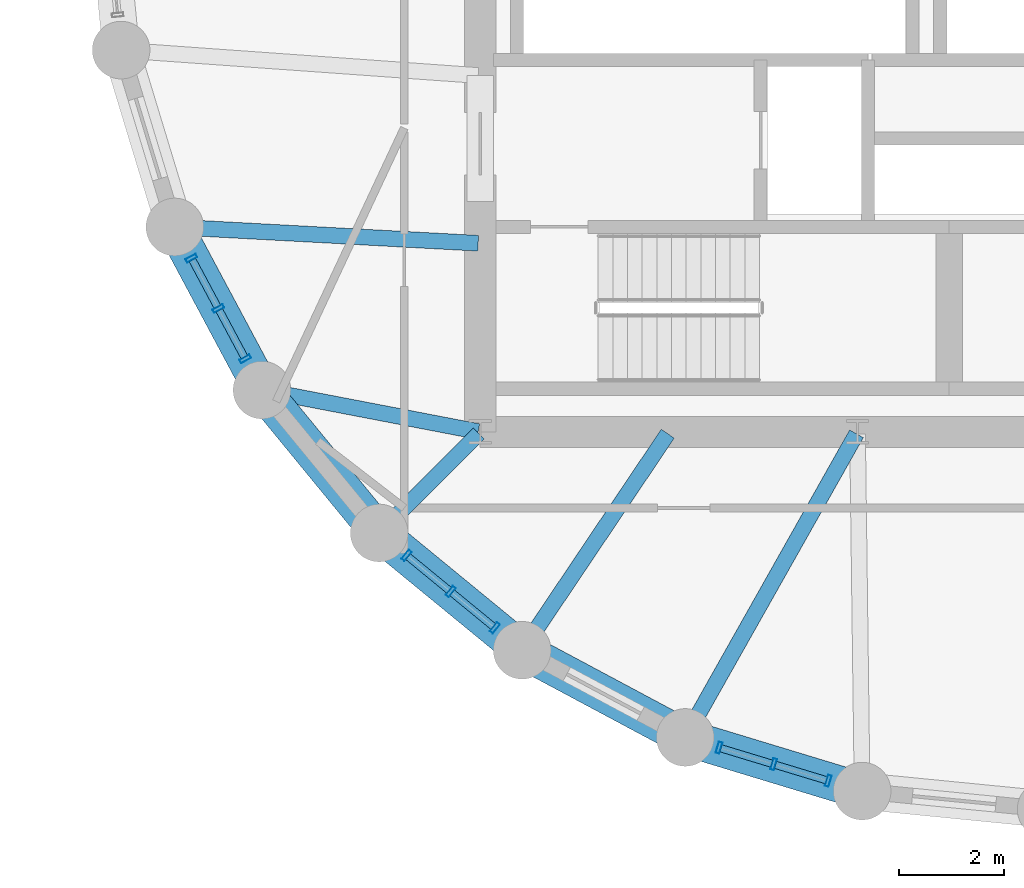
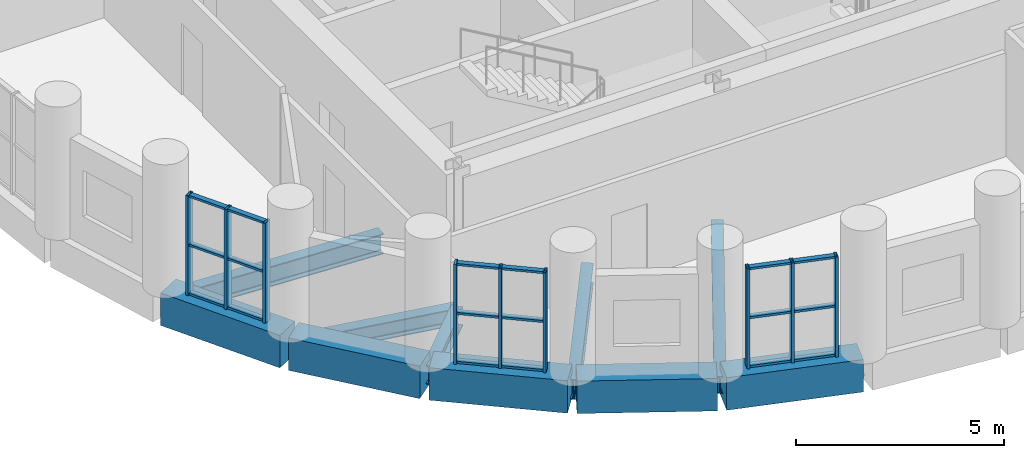
# One storey, part 2 of 13: 27 members, 10 beams, 3 elements without a shape of their own.
"""IFC4 building model written with IfcOpenShell, lengths in metres."""

from ifc_helpers import new_model, si_unit, direction, frame, origin, origin_2d, place, context, subcontext, project, spatial, rectangle, hollow_rectangle, i_section, extrude, material, layer, layer_set, material_profile, profile_set, type_object, element, aggregate, save


model = new_model("IFC4")

# Units and contexts
model_context = context("Model", 3, precision=1e-05, world=origin(), true_north=direction((0.0, 1.0)))
body_context = subcontext(model_context, "Body", "Model", "MODEL_VIEW")
ifc_project = project(units=[si_unit("LENGTHUNIT", "METRE"), si_unit("AREAUNIT", "SQUARE_METRE"), si_unit("VOLUMEUNIT", "CUBIC_METRE"), si_unit("PLANEANGLEUNIT", "RADIAN"), si_unit("MASSUNIT", "GRAM", prefix="KILO")], contexts=[model_context])

# Site, building, storey
site_placement = place(None, origin())
site = spatial("IfcSite", under=ifc_project, at=site_placement, CompositionType="ELEMENT")
building_placement = place(site_placement, origin())
building = spatial("IfcBuilding", under=site, at=building_placement, Name="Solnavia Interchange Tower", CompositionType="ELEMENT")
storey_placement = place(building_placement, frame((0.0, 0.0, 51.300048828125)))
storey = spatial("IfcBuildingStorey", under=building, at=storey_placement, Name="L12", CompositionType="ELEMENT", Elevation=51.300048828125)

# Beams
ifc_material_1 = material(Name="Steel S460", Category="steel")
ifc_material_profile_1 = material_profile(ifc_material_1, i_section(OverallWidth=0.300048828125, OverallDepth=0.550048828125, WebThickness=0.014892578125, FlangeThickness=0.029052734375, FilletRadius=0.027099609375, at=origin_2d()), Name="HEB 550")
ifc_profile_set_1 = profile_set([ifc_material_profile_1], Name="Steel S460")
beam_type_1 = type_object("IfcBeamType", Name="Beam-Girder-HEB550", PredefinedType="BEAM", material=ifc_profile_set_1)
beam_1_placement = place(storey_placement, frame((12.528564453125, 8.9287109375, -0.525146484375), z_axis=(0.707106781187, 0.707106781187, 0.0), x_axis=(-0.707106781187, 0.707106781187, 0.0)))
element("IfcBeam", 1, at=beam_1_placement, inside=storey, type_object=beam_type_1, Name="GRD-L12-DR25 Drum radial floor girder", PredefinedType="BEAM", context=body_context, shape_type="SweptSolid", body=[
    extrude(i_section(OverallWidth=0.300048828125, OverallDepth=0.550048828125, WebThickness=0.014892578125, FlangeThickness=0.029052734375, FilletRadius=0.027099609375, at=origin_2d()), origin(), (0.0, 0.0, 1.0), 2.6064453125),
])
ifc_material_2 = material(Name="Steel S355", Category="steel")
ifc_material_profile_2 = material_profile(ifc_material_2, i_section(OverallWidth=0.300048828125, OverallDepth=0.489990234375, WebThickness=0.011962890625, FlangeThickness=0.02294921875, FilletRadius=0.027099609375, at=origin_2d()), Name="HEA 500")
ifc_profile_set_2 = profile_set([ifc_material_profile_2], Name="Steel S355")
beam_type_2 = type_object("IfcBeamType", Name="Beam-Primary-HEA500", PredefinedType="BEAM", material=ifc_profile_set_2)
beam_2_placement = place(storey_placement, frame((10.3125, 11.5849609375, -0.4951171875), z_axis=(0.982057527796, -0.188581579428, 0.0), x_axis=(0.188581579428, 0.982057527796, 0.0)))
element("IfcBeam", 2, at=beam_2_placement, inside=storey, type_object=beam_type_2, Name="GRD-L12-DR24 Drum radial floor girder", PredefinedType="BEAM", context=body_context, shape_type="SweptSolid", body=[
    extrude(i_section(OverallWidth=0.300048828125, OverallDepth=0.489990234375, WebThickness=0.011962890625, FlangeThickness=0.02294921875, FilletRadius=0.027099609375, at=origin_2d()), origin(), (0.0, 0.0, 1.0), 4.1220703125),
])
beam_3_placement = place(storey_placement, frame((18.351318359375, 5.039794921875, -0.4951171875), z_axis=(0.491243158486, 0.871022479182, 0.0), x_axis=(-0.871022479182, 0.491243158486, 0.0)))
element("IfcBeam", 3, at=beam_3_placement, inside=storey, type_object=beam_type_2, Name="GRD-L12-DR27 Drum radial floor girder", PredefinedType="BEAM", context=body_context, shape_type="SweptSolid", body=[
    extrude(i_section(OverallWidth=0.300048828125, OverallDepth=0.489990234375, WebThickness=0.011962890625, FlangeThickness=0.02294921875, FilletRadius=0.027099609375, at=origin_2d()), origin(), (0.0, 0.0, 1.0), 6.5732421875),
])
ifc_material_profile_3 = material_profile(ifc_material_2, i_section(OverallWidth=0.300048828125, OverallDepth=0.590087890625, WebThickness=0.012939453125, FlangeThickness=0.02490234375, FilletRadius=0.027099609375, at=origin_2d()), Name="HEA 600")
ifc_profile_set_3 = profile_set([ifc_material_profile_3], Name="Steel S355")
beam_type_3 = type_object("IfcBeamType", Name="Beam-Primary-HEA600", PredefinedType="BEAM", material=ifc_profile_set_3)
beam_4_placement = place(storey_placement, frame((8.64990234375, 14.707763671875, -0.545166015625), z_axis=(0.998570371303, -0.053452909696, 0.0), x_axis=(0.053452909696, 0.998570371303, 0.0)))
element("IfcBeam", 4, at=beam_4_placement, inside=storey, type_object=beam_type_3, Name="GRD-L12-DR23 Drum radial floor girder", PredefinedType="BEAM", context=body_context, shape_type="SweptSolid", body=[
    extrude(i_section(OverallWidth=0.300048828125, OverallDepth=0.590087890625, WebThickness=0.012939453125, FlangeThickness=0.02490234375, FilletRadius=0.027099609375, at=origin_2d()), origin(), (0.0, 0.0, 1.0), 5.71826171875),
])
beam_5_placement = place(storey_placement, frame((15.24462890625, 6.700439453125, -0.545166015625), z_axis=(0.557835474219, 0.829951555033, 0.0), x_axis=(-0.829951555033, 0.557835474219, 0.0)))
element("IfcBeam", 5, at=beam_5_placement, inside=storey, type_object=beam_type_3, Name="GRD-L12-DR26 Drum radial floor girder", PredefinedType="BEAM", context=body_context, shape_type="SweptSolid", body=[
    extrude(i_section(OverallWidth=0.300048828125, OverallDepth=0.590087890625, WebThickness=0.012939453125, FlangeThickness=0.02490234375, FilletRadius=0.027099609375, at=origin_2d()), origin(), (0.0, 0.0, 1.0), 4.899658203125),
])
ifc_material_3 = material(Name="Concrete C50/60", Category="concrete")
ifc_material_profile_4 = material_profile(ifc_material_3, rectangle(XDim=0.699951171875, YDim=0.949951171875, at=origin_2d()), Name="RC 700x950")
ifc_profile_set_4 = profile_set([ifc_material_profile_4], Name="Concrete C50/60")
beam_type_4 = type_object("IfcBeamType", Name="Beam-Spandrel-RC700x950", PredefinedType="SPANDREL", material=ifc_profile_set_4)
beam_6_placement = place(storey_placement, frame((8.607666015625, 14.6416015625, -0.47509765625), z_axis=(0.471509422952, -0.881861023102, 0.0), x_axis=(0.881861023102, 0.471509422952, 0.0)))
element("IfcBeam", 6, at=beam_6_placement, inside=storey, type_object=beam_type_4, Name="SPB-L12-03 Framed-tube perimeter spandrel beam", PredefinedType="SPANDREL", context=body_context, shape_type="SweptSolid", body=[
    extrude(rectangle(XDim=0.699951171875, YDim=0.949951171875, at=origin_2d()), origin(), (0.0, 0.0, 1.0), 3.369140625),
])
for number, where, z_axis, x_axis, name in (
    (7, (10.28466796875, 11.5380859375, -0.47509765625), (0.634298841675, -0.773087950656, 0.0), (0.773087950656, 0.634298841675, 0.0), "SPB-L12-04 Framed-tube perimeter spandrel beam"),
    (8, (12.53369140625, 8.8212890625, -0.47509765625), (0.773152644452, -0.634219984214, 0.0), (0.634219984214, 0.773152644452, 0.0), "SPB-L12-05 Framed-tube perimeter spandrel beam"),
):
    element("IfcBeam", number, at=place(storey_placement, frame(where, z_axis=z_axis, x_axis=x_axis)), inside=storey, type_object=beam_type_4, Name=name, PredefinedType="SPANDREL", context=body_context, shape_type="SweptSolid", body=[
        extrude(rectangle(XDim=0.699951171875, YDim=0.949951171875, at=origin_2d()), origin(), (0.0, 0.0, 1.0), 3.36865234375),
    ])
beam_7_placement = place(storey_placement, frame((15.2705078125, 6.59619140625, -0.47509765625), z_axis=(0.881875044348, -0.47148319817, 0.0), x_axis=(0.47148319817, 0.881875044348, 0.0)))
element("IfcBeam", 9, at=beam_7_placement, inside=storey, type_object=beam_type_4, Name="SPB-L12-06 Framed-tube perimeter spandrel beam", PredefinedType="SPANDREL", context=body_context, shape_type="SweptSolid", body=[
    extrude(rectangle(XDim=0.699951171875, YDim=0.949951171875, at=origin_2d()), origin(), (0.0, 0.0, 1.0), 3.368896484375),
])
beam_8_placement = place(storey_placement, frame((18.388671875, 4.94677734375, -0.47509765625), z_axis=(0.956943884494, -0.290272978297, 0.0), x_axis=(0.290272978297, 0.956943884494, 0.0)))
element("IfcBeam", 10, at=beam_8_placement, inside=storey, type_object=beam_type_4, Name="SPB-L12-07 Framed-tube perimeter spandrel beam", PredefinedType="SPANDREL", context=body_context, shape_type="SweptSolid", body=[
    extrude(rectangle(XDim=0.699951171875, YDim=0.949951171875, at=origin_2d()), origin(), (0.0, 0.0, 1.0), 3.36767578125),
])

# Curtain wall, members
ifc_material_4 = material(Name="Aluminium Alloy 6063-T6", Category="aluminium")
ifc_layer = layer(ifc_material_4, 0.239990234375)
ifc_layer_set = layer_set([ifc_layer], Name="Aluminium Alloy 6063-T6")
curtain_wall_type = type_object("IfcCurtainWallType", Name="CurtainWall-Drum-CTW2", PredefinedType="NOTDEFINED", material=ifc_layer_set)
curtain_wall_1_placement = place(storey_placement, origin())
curtain_wall_1 = element("IfcCurtainWall", 11, at=curtain_wall_1_placement, inside=storey, type_object=curtain_wall_type, Name="CTW-L12-D61 CTW-2 curtain wall", PredefinedType="NOTDEFINED")
ifc_material_profile_5 = material_profile(ifc_material_4, hollow_rectangle(XDim=0.074951171875, YDim=0.219970703125, WallThickness=0.0048828125, at=origin_2d()), Name="ALU 220x75x5")
ifc_profile_set_5 = profile_set([ifc_material_profile_5], Name="Aluminium Alloy 6063-T6")
member_type_1 = type_object("IfcMemberType", Name="CW-Mullion-CWM-2", PredefinedType="MULLION", material=ifc_profile_set_5)
member_1_placement = place(storey_placement, frame((8.88818359375, 14.11669921875, 0.0), z_axis=(0.0, 0.0, 1.0), x_axis=(0.471536719402, -0.881846427818, 0.0)))
member_1 = element("IfcMember", 12, at=member_1_placement, type_object=member_type_1, Name="CTW-2 mullion 1", PredefinedType="MULLION", context=body_context, shape_type="SweptSolid", body=[
    extrude(hollow_rectangle(XDim=0.074951171875, YDim=0.219970703125, WallThickness=0.0048828125, at=origin_2d()), origin(), (0.0, 0.0, 1.0), 2.929931640625),
])
member_2_placement = place(storey_placement, frame((9.402099609375, 13.156005859375, 0.0), z_axis=(0.0, 0.0, 1.0), x_axis=(0.471536719402, -0.881846427818, 0.0)))
member_2 = element("IfcMember", 13, at=member_2_placement, type_object=member_type_1, Name="CTW-2 mullion 2", PredefinedType="MULLION", context=body_context, shape_type="SweptSolid", body=[
    extrude(hollow_rectangle(XDim=0.074951171875, YDim=0.219970703125, WallThickness=0.0048828125, at=origin_2d()), origin(), (0.0, 0.0, 1.0), 2.929931640625),
])
member_3_placement = place(storey_placement, frame((9.915771484375, 12.1953125, 0.0), z_axis=(0.0, 0.0, 1.0), x_axis=(0.471536719402, -0.881846427818, 0.0)))
member_3 = element("IfcMember", 14, at=member_3_placement, type_object=member_type_1, Name="CTW-2 mullion 3", PredefinedType="MULLION", context=body_context, shape_type="SweptSolid", body=[
    extrude(hollow_rectangle(XDim=0.074951171875, YDim=0.219970703125, WallThickness=0.0048828125, at=origin_2d()), origin(), (0.0, 0.0, 1.0), 2.929931640625),
])

curtain_wall_2_placement = place(storey_placement, origin())
curtain_wall_2 = element("IfcCurtainWall", 15, at=curtain_wall_2_placement, inside=storey, type_object=curtain_wall_type, Name="CTW-L12-D63 CTW-2 curtain wall", PredefinedType="NOTDEFINED")
member_4_placement = place(storey_placement, frame((12.993896484375, 8.44384765625, 0.0), z_axis=(0.0, 0.0, 1.0), x_axis=(0.773094572227, -0.634290771172, 0.0)))
member_4 = element("IfcMember", 16, at=member_4_placement, type_object=member_type_1, Name="CTW-2 mullion 1", PredefinedType="MULLION", context=body_context, shape_type="SweptSolid", body=[
    extrude(hollow_rectangle(XDim=0.074951171875, YDim=0.219970703125, WallThickness=0.0048828125, at=origin_2d()), origin(), (0.0, 0.0, 1.0), 2.929931640625),
])
member_5_placement = place(storey_placement, frame((13.8359375, 7.7529296875, 0.0), z_axis=(0.0, 0.0, 1.0), x_axis=(0.773094572227, -0.634290771172, 0.0)))
member_5 = element("IfcMember", 17, at=member_5_placement, type_object=member_type_1, Name="CTW-2 mullion 2", PredefinedType="MULLION", context=body_context, shape_type="SweptSolid", body=[
    extrude(hollow_rectangle(XDim=0.074951171875, YDim=0.219970703125, WallThickness=0.0048828125, at=origin_2d()), origin(), (0.0, 0.0, 1.0), 2.929931640625),
])
member_6_placement = place(storey_placement, frame((14.67822265625, 7.06201171875, 0.0), z_axis=(0.0, 0.0, 1.0), x_axis=(0.773094572227, -0.634290771172, 0.0)))
member_6 = element("IfcMember", 18, at=member_6_placement, type_object=member_type_1, Name="CTW-2 mullion 3", PredefinedType="MULLION", context=body_context, shape_type="SweptSolid", body=[
    extrude(hollow_rectangle(XDim=0.074951171875, YDim=0.219970703125, WallThickness=0.0048828125, at=origin_2d()), origin(), (0.0, 0.0, 1.0), 2.929931640625),
])

curtain_wall_3_placement = place(storey_placement, origin())
curtain_wall_3 = element("IfcCurtainWall", 19, at=curtain_wall_3_placement, inside=storey, type_object=curtain_wall_type, Name="CTW-L12-D65 CTW-2 curtain wall", PredefinedType="NOTDEFINED")
member_7_placement = place(storey_placement, frame((18.9580078125, 4.774169921875, 0.0), z_axis=(0.0, 0.0, 1.0), x_axis=(0.956934759739, -0.290303058206, 0.0)))
member_7 = element("IfcMember", 20, at=member_7_placement, type_object=member_type_1, Name="CTW-2 mullion 1", PredefinedType="MULLION", context=body_context, shape_type="SweptSolid", body=[
    extrude(hollow_rectangle(XDim=0.074951171875, YDim=0.219970703125, WallThickness=0.0048828125, at=origin_2d()), origin(), (0.0, 0.0, 1.0), 2.929931640625),
])
member_8_placement = place(storey_placement, frame((20.0, 4.4580078125, 0.0), z_axis=(0.0, 0.0, 1.0), x_axis=(0.956934759739, -0.290303058206, 0.0)))
member_8 = element("IfcMember", 21, at=member_8_placement, type_object=member_type_1, Name="CTW-2 mullion 2", PredefinedType="MULLION", context=body_context, shape_type="SweptSolid", body=[
    extrude(hollow_rectangle(XDim=0.074951171875, YDim=0.219970703125, WallThickness=0.0048828125, at=origin_2d()), origin(), (0.0, 0.0, 1.0), 2.929931640625),
])
member_9_placement = place(storey_placement, frame((21.0419921875, 4.141845703125, 0.0), z_axis=(0.0, 0.0, 1.0), x_axis=(0.956934759739, -0.290303058206, 0.0)))
member_9 = element("IfcMember", 22, at=member_9_placement, type_object=member_type_1, Name="CTW-2 mullion 3", PredefinedType="MULLION", context=body_context, shape_type="SweptSolid", body=[
    extrude(hollow_rectangle(XDim=0.074951171875, YDim=0.219970703125, WallThickness=0.0048828125, at=origin_2d()), origin(), (0.0, 0.0, 1.0), 2.929931640625),
])

# Member
ifc_material_profile_6 = material_profile(ifc_material_4, hollow_rectangle(XDim=0.06494140625, YDim=0.139892578125, WallThickness=0.00390625, at=origin_2d()), Name="ALU 140x65x4")
ifc_profile_set_6 = profile_set([ifc_material_profile_6], Name="Aluminium Alloy 6063-T6")
member_type_2 = type_object("IfcMemberType", Name="CW-Transom-CWT-2", PredefinedType="USERDEFINED", material=ifc_profile_set_6)
member_10_placement = place(storey_placement, frame((8.906005859375, 14.083740234375, 0.032470703125), z_axis=(0.471399859925, -0.88191959501, 0.0), x_axis=(0.0, 0.0, 1.0)))
member_10 = element("IfcMember", 23, at=member_10_placement, type_object=member_type_2, Name="CTW-2 transom 1.1", ObjectType="TRANSOM", PredefinedType="USERDEFINED", context=body_context, shape_type="SweptSolid", body=[
    extrude(hollow_rectangle(XDim=0.06494140625, YDim=0.139892578125, WallThickness=0.00390625, at=origin_2d()), origin(), (0.0, 0.0, 1.0), 1.0146484375),
])

member_11_placement = place(storey_placement, frame((8.906005859375, 14.083740234375, 1.46484375), z_axis=(0.471399859925, -0.88191959501, 0.0), x_axis=(0.0, 0.0, 1.0)))
member_11 = element("IfcMember", 24, at=member_11_placement, type_object=member_type_2, Name="CTW-2 transom 1.2", ObjectType="TRANSOM", PredefinedType="USERDEFINED", context=body_context, shape_type="SweptSolid", body=[
    extrude(hollow_rectangle(XDim=0.06494140625, YDim=0.139892578125, WallThickness=0.00390625, at=origin_2d()), origin(), (0.0, 0.0, 1.0), 1.0146484375),
])

member_12_placement = place(storey_placement, frame((8.906005859375, 14.083740234375, 2.8974609375), z_axis=(0.471399859925, -0.88191959501, 0.0), x_axis=(0.0, 0.0, 1.0)))
member_12 = element("IfcMember", 25, at=member_12_placement, type_object=member_type_2, Name="CTW-2 transom 1.3", ObjectType="TRANSOM", PredefinedType="USERDEFINED", context=body_context, shape_type="SweptSolid", body=[
    extrude(hollow_rectangle(XDim=0.06494140625, YDim=0.139892578125, WallThickness=0.00390625, at=origin_2d()), origin(), (0.0, 0.0, 1.0), 1.0146484375),
])

member_13_placement = place(storey_placement, frame((9.419677734375, 13.123046875, 0.032470703125), z_axis=(0.471399859925, -0.88191959501, 0.0), x_axis=(0.0, 0.0, 1.0)))
member_13 = element("IfcMember", 26, at=member_13_placement, type_object=member_type_2, Name="CTW-2 transom 2.1", ObjectType="TRANSOM", PredefinedType="USERDEFINED", context=body_context, shape_type="SweptSolid", body=[
    extrude(hollow_rectangle(XDim=0.06494140625, YDim=0.139892578125, WallThickness=0.00390625, at=origin_2d()), origin(), (0.0, 0.0, 1.0), 1.0146484375),
])

member_14_placement = place(storey_placement, frame((9.419677734375, 13.123046875, 1.46484375), z_axis=(0.471399859925, -0.88191959501, 0.0), x_axis=(0.0, 0.0, 1.0)))
member_14 = element("IfcMember", 27, at=member_14_placement, type_object=member_type_2, Name="CTW-2 transom 2.2", ObjectType="TRANSOM", PredefinedType="USERDEFINED", context=body_context, shape_type="SweptSolid", body=[
    extrude(hollow_rectangle(XDim=0.06494140625, YDim=0.139892578125, WallThickness=0.00390625, at=origin_2d()), origin(), (0.0, 0.0, 1.0), 1.0146484375),
])

member_15_placement = place(storey_placement, frame((9.419677734375, 13.123046875, 2.8974609375), z_axis=(0.471399859925, -0.88191959501, 0.0), x_axis=(0.0, 0.0, 1.0)))
member_15 = element("IfcMember", 28, at=member_15_placement, type_object=member_type_2, Name="CTW-2 transom 2.3", ObjectType="TRANSOM", PredefinedType="USERDEFINED", context=body_context, shape_type="SweptSolid", body=[
    extrude(hollow_rectangle(XDim=0.06494140625, YDim=0.139892578125, WallThickness=0.00390625, at=origin_2d()), origin(), (0.0, 0.0, 1.0), 1.0146484375),
])

aggregate(curtain_wall_1, [member_1, member_2, member_3, member_10, member_11, member_12, member_13, member_14, member_15])

member_16_placement = place(storey_placement, frame((13.02294921875, 8.420166015625, 0.032470703125), z_axis=(0.773130870672, -0.634246526844, 0.0), x_axis=(0.0, 0.0, 1.0)))
member_16 = element("IfcMember", 29, at=member_16_placement, type_object=member_type_2, Name="CTW-2 transom 1.1", ObjectType="TRANSOM", PredefinedType="USERDEFINED", context=body_context, shape_type="SweptSolid", body=[
    extrude(hollow_rectangle(XDim=0.06494140625, YDim=0.139892578125, WallThickness=0.00390625, at=origin_2d()), origin(), (0.0, 0.0, 1.0), 1.014404296875),
])

member_17_placement = place(storey_placement, frame((13.02294921875, 8.420166015625, 1.46484375), z_axis=(0.773130870672, -0.634246526844, 0.0), x_axis=(0.0, 0.0, 1.0)))
member_17 = element("IfcMember", 30, at=member_17_placement, type_object=member_type_2, Name="CTW-2 transom 1.2", ObjectType="TRANSOM", PredefinedType="USERDEFINED", context=body_context, shape_type="SweptSolid", body=[
    extrude(hollow_rectangle(XDim=0.06494140625, YDim=0.139892578125, WallThickness=0.00390625, at=origin_2d()), origin(), (0.0, 0.0, 1.0), 1.014404296875),
])

member_18_placement = place(storey_placement, frame((13.02294921875, 8.420166015625, 2.8974609375), z_axis=(0.773130870672, -0.634246526844, 0.0), x_axis=(0.0, 0.0, 1.0)))
member_18 = element("IfcMember", 31, at=member_18_placement, type_object=member_type_2, Name="CTW-2 transom 1.3", ObjectType="TRANSOM", PredefinedType="USERDEFINED", context=body_context, shape_type="SweptSolid", body=[
    extrude(hollow_rectangle(XDim=0.06494140625, YDim=0.139892578125, WallThickness=0.00390625, at=origin_2d()), origin(), (0.0, 0.0, 1.0), 1.014404296875),
])

member_19_placement = place(storey_placement, frame((13.864990234375, 7.729248046875, 0.032470703125), z_axis=(0.773130870672, -0.634246526844, 0.0), x_axis=(0.0, 0.0, 1.0)))
member_19 = element("IfcMember", 32, at=member_19_placement, type_object=member_type_2, Name="CTW-2 transom 2.1", ObjectType="TRANSOM", PredefinedType="USERDEFINED", context=body_context, shape_type="SweptSolid", body=[
    extrude(hollow_rectangle(XDim=0.06494140625, YDim=0.139892578125, WallThickness=0.00390625, at=origin_2d()), origin(), (0.0, 0.0, 1.0), 1.014404296875),
])

member_20_placement = place(storey_placement, frame((13.864990234375, 7.729248046875, 1.46484375), z_axis=(0.773130870672, -0.634246526844, 0.0), x_axis=(0.0, 0.0, 1.0)))
member_20 = element("IfcMember", 33, at=member_20_placement, type_object=member_type_2, Name="CTW-2 transom 2.2", ObjectType="TRANSOM", PredefinedType="USERDEFINED", context=body_context, shape_type="SweptSolid", body=[
    extrude(hollow_rectangle(XDim=0.06494140625, YDim=0.139892578125, WallThickness=0.00390625, at=origin_2d()), origin(), (0.0, 0.0, 1.0), 1.014404296875),
])

member_21_placement = place(storey_placement, frame((13.864990234375, 7.729248046875, 2.8974609375), z_axis=(0.773130870672, -0.634246526844, 0.0), x_axis=(0.0, 0.0, 1.0)))
member_21 = element("IfcMember", 34, at=member_21_placement, type_object=member_type_2, Name="CTW-2 transom 2.3", ObjectType="TRANSOM", PredefinedType="USERDEFINED", context=body_context, shape_type="SweptSolid", body=[
    extrude(hollow_rectangle(XDim=0.06494140625, YDim=0.139892578125, WallThickness=0.00390625, at=origin_2d()), origin(), (0.0, 0.0, 1.0), 1.014404296875),
])

aggregate(curtain_wall_2, [member_4, member_5, member_6, member_16, member_17, member_18, member_19, member_20, member_21])

member_22_placement = place(storey_placement, frame((18.993896484375, 4.76318359375, 0.032470703125), z_axis=(0.956973757237, -0.290174478478, 0.0), x_axis=(0.0, 0.0, 1.0)))
member_22 = element("IfcMember", 35, at=member_22_placement, type_object=member_type_2, Name="CTW-2 transom 1.1", ObjectType="TRANSOM", PredefinedType="USERDEFINED", context=body_context, shape_type="SweptSolid", body=[
    extrude(hollow_rectangle(XDim=0.06494140625, YDim=0.139892578125, WallThickness=0.00390625, at=origin_2d()), origin(), (0.0, 0.0, 1.0), 1.013916015625),
])

member_23_placement = place(storey_placement, frame((18.993896484375, 4.76318359375, 1.46484375), z_axis=(0.956973757237, -0.290174478478, 0.0), x_axis=(0.0, 0.0, 1.0)))
member_23 = element("IfcMember", 36, at=member_23_placement, type_object=member_type_2, Name="CTW-2 transom 1.2", ObjectType="TRANSOM", PredefinedType="USERDEFINED", context=body_context, shape_type="SweptSolid", body=[
    extrude(hollow_rectangle(XDim=0.06494140625, YDim=0.139892578125, WallThickness=0.00390625, at=origin_2d()), origin(), (0.0, 0.0, 1.0), 1.013916015625),
])

member_24_placement = place(storey_placement, frame((18.993896484375, 4.76318359375, 2.8974609375), z_axis=(0.956973757237, -0.290174478478, 0.0), x_axis=(0.0, 0.0, 1.0)))
member_24 = element("IfcMember", 37, at=member_24_placement, type_object=member_type_2, Name="CTW-2 transom 1.3", ObjectType="TRANSOM", PredefinedType="USERDEFINED", context=body_context, shape_type="SweptSolid", body=[
    extrude(hollow_rectangle(XDim=0.06494140625, YDim=0.139892578125, WallThickness=0.00390625, at=origin_2d()), origin(), (0.0, 0.0, 1.0), 1.013916015625),
])

member_25_placement = place(storey_placement, frame((20.035888671875, 4.447021484375, 0.032470703125), z_axis=(0.956973757237, -0.290174478478, 0.0), x_axis=(0.0, 0.0, 1.0)))
member_25 = element("IfcMember", 38, at=member_25_placement, type_object=member_type_2, Name="CTW-2 transom 2.1", ObjectType="TRANSOM", PredefinedType="USERDEFINED", context=body_context, shape_type="SweptSolid", body=[
    extrude(hollow_rectangle(XDim=0.06494140625, YDim=0.139892578125, WallThickness=0.00390625, at=origin_2d()), origin(), (0.0, 0.0, 1.0), 1.013916015625),
])

member_26_placement = place(storey_placement, frame((20.035888671875, 4.447021484375, 1.46484375), z_axis=(0.956973757237, -0.290174478478, 0.0), x_axis=(0.0, 0.0, 1.0)))
member_26 = element("IfcMember", 39, at=member_26_placement, type_object=member_type_2, Name="CTW-2 transom 2.2", ObjectType="TRANSOM", PredefinedType="USERDEFINED", context=body_context, shape_type="SweptSolid", body=[
    extrude(hollow_rectangle(XDim=0.06494140625, YDim=0.139892578125, WallThickness=0.00390625, at=origin_2d()), origin(), (0.0, 0.0, 1.0), 1.013916015625),
])

member_27_placement = place(storey_placement, frame((20.035888671875, 4.447021484375, 2.8974609375), z_axis=(0.956973757237, -0.290174478478, 0.0), x_axis=(0.0, 0.0, 1.0)))
member_27 = element("IfcMember", 40, at=member_27_placement, type_object=member_type_2, Name="CTW-2 transom 2.3", ObjectType="TRANSOM", PredefinedType="USERDEFINED", context=body_context, shape_type="SweptSolid", body=[
    extrude(hollow_rectangle(XDim=0.06494140625, YDim=0.139892578125, WallThickness=0.00390625, at=origin_2d()), origin(), (0.0, 0.0, 1.0), 1.013916015625),
])

aggregate(curtain_wall_3, [member_7, member_8, member_9, member_22, member_23, member_24, member_25, member_26, member_27])

save(model, "model.ifc")
